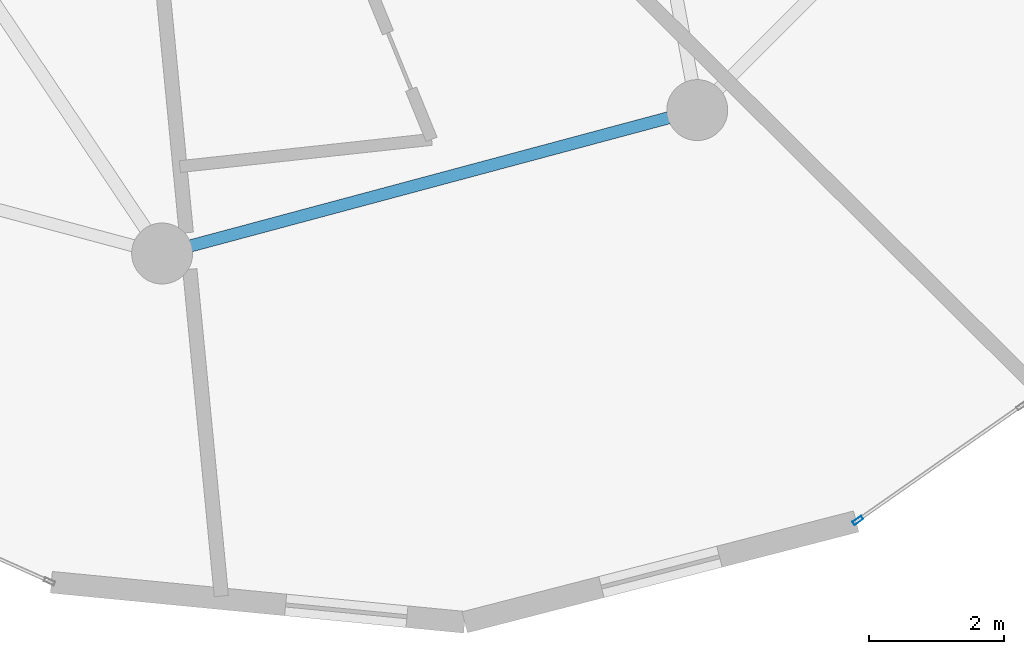
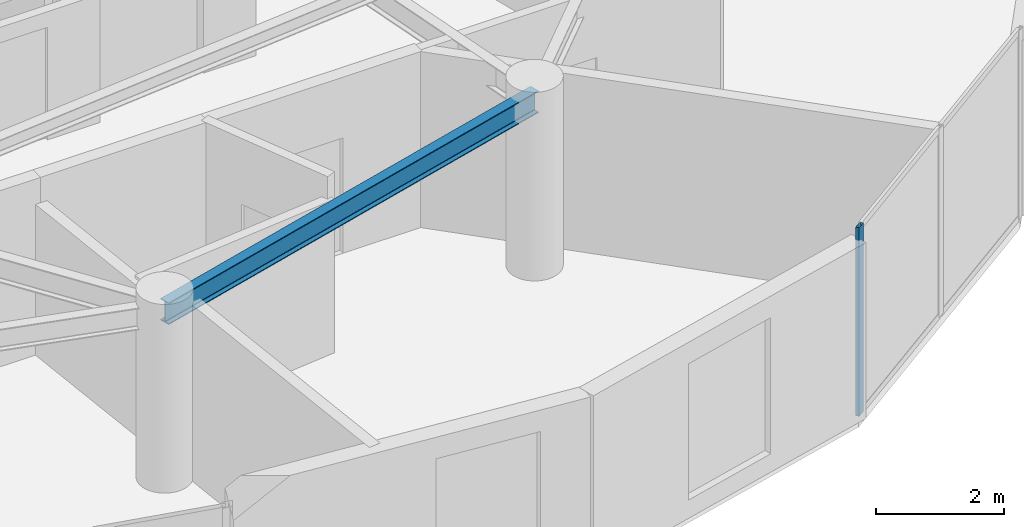
# One storey, part 5 of 21: 1 beam, 1 member, 1 element without a shape of its own.
"""IFC4 building model written with IfcOpenShell, lengths in metres."""

from ifc_helpers import new_model, si_unit, direction, frame, origin, origin_2d, place, context, subcontext, project, spatial, hollow_rectangle, i_section, extrude, source, transform, mapped, material, layer, layer_set, material_profile, profile_set, type_object, element, aggregate, save


model = new_model("IFC4")

# Units and contexts
model_context = context("Model", 3, precision=1e-05, world=origin(), true_north=direction((0.0, 1.0)))
body_context = subcontext(model_context, "Body", "Model", "MODEL_VIEW")
ifc_project = project(units=[si_unit("LENGTHUNIT", "METRE"), si_unit("AREAUNIT", "SQUARE_METRE"), si_unit("VOLUMEUNIT", "CUBIC_METRE"), si_unit("PLANEANGLEUNIT", "RADIAN"), si_unit("MASSUNIT", "GRAM", prefix="KILO")], contexts=[model_context])

# Site, building, storey
site_placement = place(None, origin())
site = spatial("IfcSite", under=ifc_project, at=site_placement, CompositionType="ELEMENT")
building_placement = place(site_placement, origin())
building = spatial("IfcBuilding", under=site, at=building_placement, Name="Solvirekh Grand Hotel", CompositionType="ELEMENT")
storey_placement = place(building_placement, frame((0.0, 0.0, 205.60009765625)))
storey = spatial("IfcBuildingStorey", under=building, at=storey_placement, Name="L53", CompositionType="ELEMENT", Elevation=205.60009765625)

# Beam
ifc_material_1 = material(Name="Steel S355", Category="steel")
ifc_material_profile_1 = material_profile(ifc_material_1, i_section(OverallWidth=0.180908203125, OverallDepth=0.4169921875, WebThickness=0.010009765625, FlangeThickness=0.01611328125, FilletRadius=0.011962890625, at=origin_2d()), Name="W410X85")
ifc_profile_set_1 = profile_set([ifc_material_profile_1], Name="Steel S355")
beam_type = type_object("IfcBeamType", Name="Spandrel_Ring_W410", PredefinedType="SPANDREL", material=ifc_profile_set_1)
beam_placement = place(storey_placement, frame((0.0, -15.800048828125, 3.15185546875), z_axis=(0.965920601923, 0.258838541915, 0.0), x_axis=(-0.258838541915, 0.965920601923, 0.0)))
element("IfcBeam", 1, at=beam_placement, inside=storey, type_object=beam_type, Name="L53 perimeter spandrel beam 10", PredefinedType="SPANDREL", context=body_context, shape_type="SweptSolid", body=[
    extrude(i_section(OverallWidth=0.180908203125, OverallDepth=0.4169921875, WebThickness=0.010009765625, FlangeThickness=0.01611328125, FilletRadius=0.011962890625, at=origin_2d()), origin(), (0.0, 0.0, 1.0), 8.1787109375),
])

# Curtain wall, member
ifc_material_2 = material(Name="Anodized Bronze Aluminium 6063-T6", Category="aluminium")
ifc_layer = layer(ifc_material_2, 0.159912109375)
ifc_layer_set = layer_set([ifc_layer], Name="Anodized Bronze Aluminium 6063-T6")
curtain_wall_type = type_object("IfcCurtainWallType", Name="CW_Sys4_HighZoneFlushBronzeCW", PredefinedType="NOTDEFINED", material=ifc_layer_set)
curtain_wall_placement = place(storey_placement, origin())
curtain_wall = element("IfcCurtainWall", 2, at=curtain_wall_placement, inside=storey, type_object=curtain_wall_type, Name="L53 unitised bronze-glass curtain wall CW-L53-C01", PredefinedType="NOTDEFINED")
ifc_material_profile_2 = material_profile(ifc_material_2, hollow_rectangle(XDim=0.06005859375, YDim=0.159912109375, WallThickness=0.0048828125, at=origin_2d()), Name="ALU RHS 160X60X5")
ifc_profile_set_2 = profile_set([ifc_material_profile_2], Name="Anodized Bronze Aluminium 6063-T6")
member_type = type_object("IfcMemberType", Name="CWMullion_Sys4", PredefinedType="MULLION", material=ifc_profile_set_2)
shared_shape = source(origin(), body_context, "Body", "SweptSolid", [
    extrude(hollow_rectangle(XDim=0.06005859375, YDim=0.159912109375, WallThickness=0.0048828125, at=origin_2d()), origin(), (0.0, 0.0, 1.0), 3.599853515625),
])
member_placement = place(storey_placement, frame((10.2705078125, -19.73974609375, 0.0), z_axis=(0.0, 0.0, 1.0), x_axis=(-0.573507335233, 0.81920042507, 0.0)))
member = element("IfcMember", 3, at=member_placement, type_object=member_type, Name="U04 mullion 1", PredefinedType="MULLION", context=body_context, shape_type="MappedRepresentation", body=[
    mapped(shared_shape, transform((0.0, 0.0, 0.0), x_axis=(1.0, 0.0, 0.0), y_axis=(0.0, 1.0, 0.0), z_axis=(0.0, 0.0, 1.0), scale=1.0)),
])
aggregate(curtain_wall, [member])

save(model, "model.ifc")
